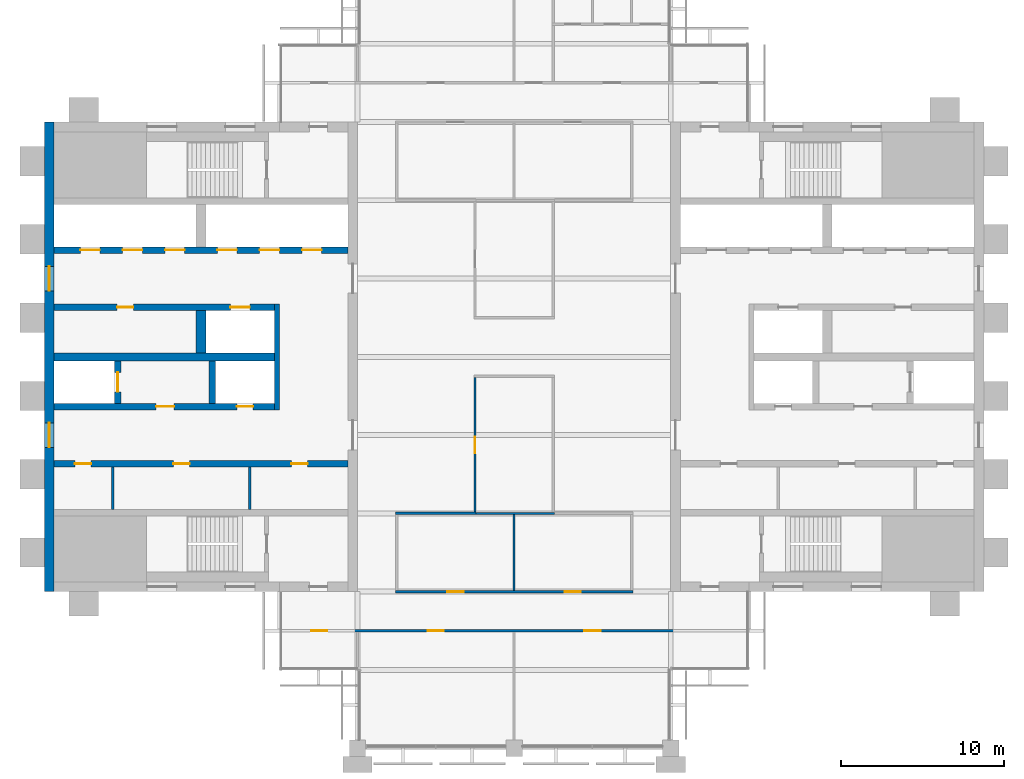
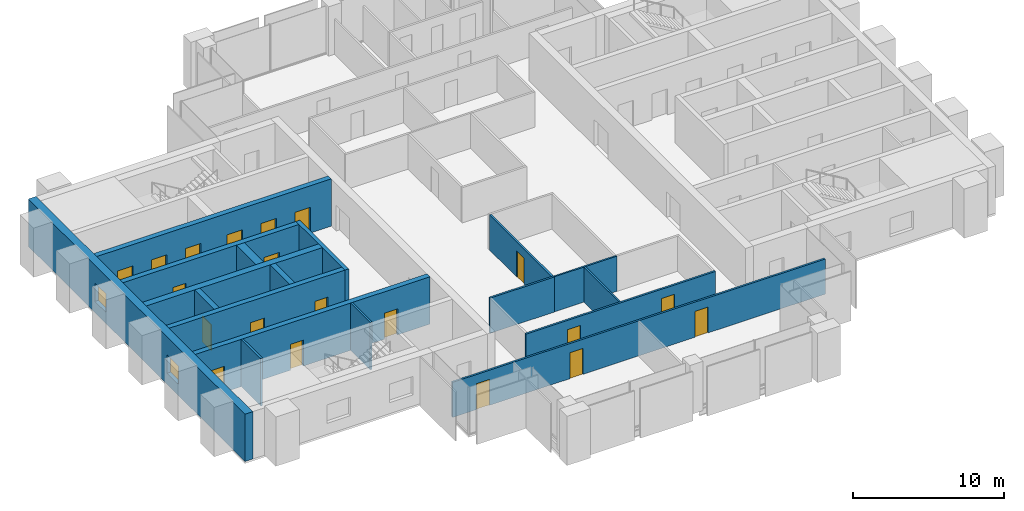
# One storey, part 8 of 12: 20 doors, 18 walls, 2 windows, 22 openings.
"""IFC4 building model written with IfcOpenShell, lengths in metres."""

from ifc_helpers import new_model, si_unit, direction, frame, frame_2d, origin, place, context, subcontext, project, spatial, rectangle, extrude, material, layer, layer_set, type_object, element, fill, save


model = new_model("IFC4")

# Units and contexts
model_context = context("Model", 3, precision=1e-05, world=origin(), true_north=direction((0.0, 1.0)))
body_context = subcontext(model_context, "Body", "Model", "MODEL_VIEW")
ifc_project = project(units=[si_unit("LENGTHUNIT", "METRE"), si_unit("AREAUNIT", "SQUARE_METRE"), si_unit("VOLUMEUNIT", "CUBIC_METRE"), si_unit("PLANEANGLEUNIT", "RADIAN"), si_unit("MASSUNIT", "GRAM", prefix="KILO")], contexts=[model_context])

# Site, building, storey
site_placement = place(None, origin())
site = spatial("IfcSite", under=ifc_project, at=site_placement, CompositionType="ELEMENT")
building_placement = place(site_placement, origin())
building = spatial("IfcBuilding", under=site, at=building_placement, Name="Baori Bourse Tower", CompositionType="ELEMENT")
storey_placement = place(building_placement, frame((0.0, 0.0, 298.300048828125)))
storey = spatial("IfcBuildingStorey", under=building, at=storey_placement, Name="L65", CompositionType="ELEMENT", Elevation=298.300048828125)

# Walls
ifc_material_1 = material(Name="Blockwork partition", Category="masonry")
ifc_layer_1 = layer(ifc_material_1, 0.14990234375)
ifc_layer_set_1 = layer_set([ifc_layer_1], Name="Core partition 150")
wall_type_1 = type_object("IfcWallType", Name="Core partition 150", PredefinedType="PARTITIONING", material=ifc_layer_set_1)
for number, where, z_axis, x_axis, name in (
    (1, (4.199951171875, 14.64990234375, 0.0), (0.0, 0.0, 1.0), (0.0, 1.0, 0.0), "Partition wall W09"),
    (2, (12.60009765625, 14.64990234375, 0.0), (0.0, 0.0, 1.0), (0.0, 1.0, 0.0), "Partition wall W10"),
):
    element("IfcWall", number, at=place(storey_placement, frame(where, z_axis=z_axis, x_axis=x_axis)), inside=storey, type_object=wall_type_1, Name=name, PredefinedType="PARTITIONING", context=body_context, shape_type="SweptSolid", body=[
        extrude(rectangle(XDim=2.60009765625, YDim=0.14990234375, at=frame_2d((1.300048828125, 0.0))), origin(), (0.0, 0.0, 1.0), 3.83984375),
    ])

# Wall, openings, windows
ifc_material_2 = material(Name="Concrete f'c 40 MPa", Category="concrete")
ifc_layer_2 = layer(ifc_material_2, 0.60009765625)
ifc_layer_set_2 = layer_set([ifc_layer_2], Name="Core wall 600 f'c 40")
wall_type_2 = type_object("IfcWallType", Name="Core wall 600 f'c 40", PredefinedType="SHEAR", material=ifc_layer_set_2)
wall_1_placement = place(storey_placement, frame((0.300048828125, 9.60009765625, 0.0), z_axis=(0.0, 0.0, 1.0), x_axis=(0.0, 1.0, 0.0)))
wall_1 = element("IfcWall", 3, at=wall_1_placement, inside=storey, type_object=wall_type_2, Name="Core wall W01", PredefinedType="SHEAR", context=body_context, shape_type="SweptSolid", body=[
    extrude(rectangle(XDim=28.7998046875, YDim=0.60009765625, at=frame_2d((14.39990234375, 0.0))), origin(), (0.0, 0.0, 1.0), 3.83984375),
])
opening_1_placement = place(wall_1_placement, frame((8.85009765625, 0.0, 0.89990234375)))
opening_1 = element("IfcOpeningElement", 4, at=opening_1_placement, cuts=wall_1, Name="Opening L65-KW101", PredefinedType="OPENING", context=body_context, shape_type="SweptSolid", body=[
    extrude(rectangle(XDim=1.5, YDim=1.5, at=frame_2d((0.75, 0.75))), frame((0.0, 0.31005859375, 0.0), z_axis=(0.0, -1.0, 0.0), x_axis=(1.0, 0.0, 0.0)), (0.0, 0.0, 1.0), 0.6201171875),
])
opening_2_placement = place(wall_1_placement, frame((18.449951171875, 0.0, 0.89990234375)))
opening_2 = element("IfcOpeningElement", 5, at=opening_2_placement, cuts=wall_1, Name="Opening L65-KW102", PredefinedType="OPENING", context=body_context, shape_type="SweptSolid", body=[
    extrude(rectangle(XDim=1.5, YDim=1.5, at=frame_2d((0.75, 0.75))), frame((0.0, 0.31005859375, 0.0), z_axis=(0.0, -1.0, 0.0), x_axis=(1.0, 0.0, 0.0)), (0.0, 0.0, 1.0), 0.6201171875),
])
ifc_material_3 = material(Name="Pale anodised aluminium", Category="aluminium")
window_type = type_object("IfcWindowType", Name="Lobby window 1500 x 1500", PartitioningType="SINGLE_PANEL", PredefinedType="WINDOW", material=ifc_material_3)
window_1_placement = place(opening_1_placement, origin())
window_1 = element("IfcWindow", 6, at=window_1_placement, inside=storey, type_object=window_type, Name="Outer wall window W L65 1", OverallHeight=1.5, OverallWidth=1.5, PartitioningType="SINGLE_PANEL", PredefinedType="WINDOW", context=body_context, shape_type="SweptSolid", body=[
    extrude(rectangle(XDim=1.5, YDim=1.5, at=frame_2d((0.75, 0.75))), frame((0.0, 0.030029296875, 0.0), z_axis=(0.0, -1.0, 0.0), x_axis=(1.0, 0.0, 0.0)), (0.0, 0.0, 1.0), 0.06005859375),
])
fill(opening_1, window_1)
window_2_placement = place(opening_2_placement, origin())
window_2 = element("IfcWindow", 7, at=window_2_placement, inside=storey, type_object=window_type, Name="Outer wall window W L65 2", OverallHeight=1.5, OverallWidth=1.5, PartitioningType="SINGLE_PANEL", PredefinedType="WINDOW", context=body_context, shape_type="SweptSolid", body=[
    extrude(rectangle(XDim=1.5, YDim=1.5, at=frame_2d((0.75, 0.75))), frame((0.0, 0.030029296875, 0.0), z_axis=(0.0, -1.0, 0.0), x_axis=(1.0, 0.0, 0.0)), (0.0, 0.0, 1.0), 0.06005859375),
])
fill(opening_2, window_2)

# Wall, openings, doors
ifc_material_4 = material(Name="Gypsum board partition")
ifc_layer_3 = layer(ifc_material_4, 0.14990234375)
ifc_layer_set_3 = layer_set([ifc_layer_3], Name="Corridor partition 150")
wall_type_3 = type_object("IfcWallType", Name="Corridor partition 150", PredefinedType="PARTITIONING", material=ifc_layer_set_3)
wall_2_placement = place(storey_placement, frame((14.5, 7.199951171875, 0.0), z_axis=(0.0, 0.0, 1.0), x_axis=(1.0, 0.0, 0.0)))
wall_2 = element("IfcWall", 8, at=wall_2_placement, inside=storey, type_object=wall_type_3, Name="Partition", PredefinedType="PARTITIONING", context=body_context, shape_type="SweptSolid", body=[
    extrude(rectangle(XDim=28.60009765625, YDim=0.14990234375, at=frame_2d((14.300048828125, 0.0))), origin(), (0.0, 0.0, 1.0), 2.849365234375),
])
opening_3_placement = place(wall_2_placement, frame((1.85009765625, 0.0, 0.0)))
opening_3 = element("IfcOpeningElement", 9, at=opening_3_placement, cuts=wall_2, Name="Opening L65-D01", PredefinedType="OPENING", context=body_context, shape_type="SweptSolid", body=[
    extrude(rectangle(XDim=1.0, YDim=2.10009765625, at=frame_2d((0.5, 1.050048828125))), frame((0.0, 0.0849609375, 0.0), z_axis=(0.0, -1.0, 0.0), x_axis=(1.0, 0.0, 0.0)), (0.0, 0.0, 1.0), 0.169921875),
])
opening_4_placement = place(wall_2_placement, frame((9.0, 0.0, 0.0)))
opening_4 = element("IfcOpeningElement", 10, at=opening_4_placement, cuts=wall_2, Name="Opening L65-D02", PredefinedType="OPENING", context=body_context, shape_type="SweptSolid", body=[
    extrude(rectangle(XDim=1.0, YDim=2.10009765625, at=frame_2d((0.5, 1.050048828125))), frame((0.0, 0.0849609375, 0.0), z_axis=(0.0, -1.0, 0.0), x_axis=(1.0, 0.0, 0.0)), (0.0, 0.0, 1.0), 0.169921875),
])
opening_5_placement = place(wall_2_placement, frame((18.60009765625, 0.0, 0.0)))
opening_5 = element("IfcOpeningElement", 11, at=opening_5_placement, cuts=wall_2, Name="Opening L65-D03", PredefinedType="OPENING", context=body_context, shape_type="SweptSolid", body=[
    extrude(rectangle(XDim=1.0, YDim=2.10009765625, at=frame_2d((0.5, 1.050048828125))), frame((0.0, 0.0849609375, 0.0), z_axis=(0.0, -1.0, 0.0), x_axis=(1.0, 0.0, 0.0)), (0.0, 0.0, 1.0), 0.169921875),
])
ifc_material_5 = material(Name="Timber door leaf", Category="wood")
door_type_1 = type_object("IfcDoorType", Name="Door 1000 x 2100", OperationType="SINGLE_SWING_LEFT", PredefinedType="DOOR", material=ifc_material_5)
door_1_placement = place(opening_3_placement, origin())
door_1 = element("IfcDoor", 12, at=door_1_placement, inside=storey, type_object=door_type_1, Name="Door", OperationType="SINGLE_SWING_LEFT", OverallHeight=2.10009765625, OverallWidth=1.0, PredefinedType="DOOR", context=body_context, shape_type="SweptSolid", body=[
    extrude(rectangle(XDim=1.0, YDim=2.10009765625, at=frame_2d((0.5, 1.050048828125))), frame((0.0, 0.02490234375, 0.0), z_axis=(0.0, -1.0, 0.0), x_axis=(1.0, 0.0, 0.0)), (0.0, 0.0, 1.0), 0.050048828125),
])
fill(opening_3, door_1)
door_2_placement = place(opening_4_placement, origin())
door_2 = element("IfcDoor", 13, at=door_2_placement, inside=storey, type_object=door_type_1, Name="Door", OperationType="SINGLE_SWING_LEFT", OverallHeight=2.10009765625, OverallWidth=1.0, PredefinedType="DOOR", context=body_context, shape_type="SweptSolid", body=[
    extrude(rectangle(XDim=1.0, YDim=2.10009765625, at=frame_2d((0.5, 1.050048828125))), frame((0.0, 0.02490234375, 0.0), z_axis=(0.0, -1.0, 0.0), x_axis=(1.0, 0.0, 0.0)), (0.0, 0.0, 1.0), 0.050048828125),
])
fill(opening_4, door_2)
door_3_placement = place(opening_5_placement, origin())
door_3 = element("IfcDoor", 14, at=door_3_placement, inside=storey, type_object=door_type_1, Name="Door", OperationType="SINGLE_SWING_RIGHT", OverallHeight=2.10009765625, OverallWidth=1.0, PredefinedType="DOOR", context=body_context, shape_type="SweptSolid", body=[
    extrude(rectangle(XDim=1.0, YDim=2.10009765625, at=frame_2d((0.5, 1.050048828125))), frame((0.0, 0.02490234375, 0.0), z_axis=(0.0, -1.0, 0.0), x_axis=(1.0, 0.0, 0.0)), (0.0, 0.0, 1.0), 0.050048828125),
])
fill(opening_5, door_3)

wall_3_placement = place(storey_placement, frame((21.52490234375, 9.60009765625, 0.0), z_axis=(0.0, 0.0, 1.0), x_axis=(1.0, 0.0, 0.0)))
wall_3 = element("IfcWall", 15, at=wall_3_placement, inside=storey, type_object=wall_type_3, Name="Partition", PredefinedType="PARTITIONING", context=body_context, shape_type="SweptSolid", body=[
    extrude(rectangle(XDim=14.550048828125, YDim=0.14990234375, at=frame_2d((7.27490234375, 0.0))), origin(), (0.0, 0.0, 1.0), 2.849365234375),
])
opening_6_placement = place(wall_3_placement, frame((3.175048828125, 0.0, 0.0)))
opening_6 = element("IfcOpeningElement", 16, at=opening_6_placement, cuts=wall_3, Name="Opening L65-D04", PredefinedType="OPENING", context=body_context, shape_type="SweptSolid", body=[
    extrude(rectangle(XDim=1.0, YDim=2.10009765625, at=frame_2d((0.5, 1.050048828125))), frame((0.0, 0.0849609375, 0.0), z_axis=(0.0, -1.0, 0.0), x_axis=(1.0, 0.0, 0.0)), (0.0, 0.0, 1.0), 0.169921875),
])
opening_7_placement = place(wall_3_placement, frame((10.375, 0.0, 0.0)))
opening_7 = element("IfcOpeningElement", 17, at=opening_7_placement, cuts=wall_3, Name="Opening L65-D05", PredefinedType="OPENING", context=body_context, shape_type="SweptSolid", body=[
    extrude(rectangle(XDim=1.0, YDim=2.10009765625, at=frame_2d((0.5, 1.050048828125))), frame((0.0, 0.0849609375, 0.0), z_axis=(0.0, -1.0, 0.0), x_axis=(1.0, 0.0, 0.0)), (0.0, 0.0, 1.0), 0.169921875),
])
door_4_placement = place(opening_6_placement, origin())
door_4 = element("IfcDoor", 18, at=door_4_placement, inside=storey, type_object=door_type_1, Name="Door", OperationType="SINGLE_SWING_RIGHT", OverallHeight=2.10009765625, OverallWidth=1.0, PredefinedType="DOOR", context=body_context, shape_type="SweptSolid", body=[
    extrude(rectangle(XDim=1.0, YDim=2.10009765625, at=frame_2d((0.5, 1.050048828125))), frame((0.0, 0.02490234375, 0.0), z_axis=(0.0, -1.0, 0.0), x_axis=(1.0, 0.0, 0.0)), (0.0, 0.0, 1.0), 0.050048828125),
])
fill(opening_6, door_4)
door_5_placement = place(opening_7_placement, origin())
door_5 = element("IfcDoor", 19, at=door_5_placement, inside=storey, type_object=door_type_1, Name="Door", OperationType="SINGLE_SWING_LEFT", OverallHeight=2.10009765625, OverallWidth=1.0, PredefinedType="DOOR", context=body_context, shape_type="SweptSolid", body=[
    extrude(rectangle(XDim=1.0, YDim=2.10009765625, at=frame_2d((0.5, 1.050048828125))), frame((0.0, 0.02490234375, 0.0), z_axis=(0.0, -1.0, 0.0), x_axis=(1.0, 0.0, 0.0)), (0.0, 0.0, 1.0), 0.050048828125),
])
fill(opening_7, door_5)

# Wall
wall_4_placement = place(storey_placement, frame((21.52490234375, 14.39990234375, 0.0), z_axis=(0.0, 0.0, 1.0), x_axis=(1.0, 0.0, 0.0)))
element("IfcWall", 20, at=wall_4_placement, inside=storey, type_object=wall_type_3, Name="Partition", PredefinedType="PARTITIONING", context=body_context, shape_type="SweptSolid", body=[
    extrude(rectangle(XDim=4.9501953125, YDim=0.14990234375, at=frame_2d((2.47509765625, 0.0))), origin(), (0.0, 0.0, 1.0), 2.849365234375),
])

# Wall, opening, door
wall_5_placement = place(storey_placement, frame((26.39990234375, 14.47509765625, 0.0), z_axis=(0.0, 0.0, 1.0), x_axis=(0.0, 1.0, 0.0)))
wall_5 = element("IfcWall", 21, at=wall_5_placement, inside=storey, type_object=wall_type_3, Name="Partition", PredefinedType="PARTITIONING", context=body_context, shape_type="SweptSolid", body=[
    extrude(rectangle(XDim=8.25, YDim=0.14990234375, at=frame_2d((4.125, 0.0))), origin(), (0.0, 0.0, 1.0), 2.849365234375),
])
opening_8_placement = place(wall_5_placement, frame((3.625, 0.0, 0.0)))
opening_8 = element("IfcOpeningElement", 22, at=opening_8_placement, cuts=wall_5, Name="Opening L65-D16", PredefinedType="OPENING", context=body_context, shape_type="SweptSolid", body=[
    extrude(rectangle(XDim=1.0, YDim=2.10009765625, at=frame_2d((0.5, 1.050048828125))), frame((0.0, 0.0849609375, 0.0), z_axis=(0.0, -1.0, 0.0), x_axis=(1.0, 0.0, 0.0)), (0.0, 0.0, 1.0), 0.169921875),
])
door_6_placement = place(opening_8_placement, origin())
door_6 = element("IfcDoor", 23, at=door_6_placement, inside=storey, type_object=door_type_1, Name="Door", OperationType="SINGLE_SWING_RIGHT", OverallHeight=2.10009765625, OverallWidth=1.0, PredefinedType="DOOR", context=body_context, shape_type="SweptSolid", body=[
    extrude(rectangle(XDim=1.0, YDim=2.10009765625, at=frame_2d((0.5, 1.050048828125))), frame((0.0, 0.02490234375, 0.0), z_axis=(0.0, -1.0, 0.0), x_axis=(1.0, 0.0, 0.0)), (0.0, 0.0, 1.0), 0.050048828125),
])
fill(opening_8, door_6)

# Walls
ifc_material_6 = material(Name="Gypsum board partition")
ifc_layer_4 = layer(ifc_material_6, 0.125)
ifc_layer_set_4 = layer_set([ifc_layer_4], Name="Partition 125")
wall_type_4 = type_object("IfcWallType", Name="Partition 125", PredefinedType="PARTITIONING", material=ifc_layer_set_4)
wall_6_placement = place(storey_placement, frame((26.47509765625, 14.39990234375, 0.0), z_axis=(0.0, 0.0, 1.0), x_axis=(1.0, 0.0, 0.0)))
element("IfcWall", 24, at=wall_6_placement, inside=storey, type_object=wall_type_4, Name="Partition", PredefinedType="PARTITIONING", context=body_context, shape_type="SweptSolid", body=[
    extrude(rectangle(XDim=4.7998046875, YDim=0.125, at=frame_2d((2.39990234375, 0.0))), origin(), (0.0, 0.0, 1.0), 2.849365234375),
])
wall_7_placement = place(storey_placement, frame((28.800048828125, 9.675048828125, 0.0), z_axis=(0.0, 0.0, 1.0), x_axis=(0.0, 1.0, 0.0)))
element("IfcWall", 25, at=wall_7_placement, inside=storey, type_object=wall_type_4, Name="Partition", PredefinedType="PARTITIONING", context=body_context, shape_type="SweptSolid", body=[
    extrude(rectangle(XDim=4.662353515625, YDim=0.125, at=frame_2d((2.3310546875, 0.0))), origin(), (0.0, 0.0, 1.0), 2.849365234375),
])
ifc_material_7 = material(Name="Concrete f'c 40 MPa", Category="concrete")
ifc_layer_5 = layer(ifc_material_7, 0.300048828125)
ifc_layer_set_5 = layer_set([ifc_layer_5], Name="Shaft wall 300 f'c 40")
wall_type_5 = type_object("IfcWallType", Name="Shaft wall 300 f'c 40", PredefinedType="SHEAR", material=ifc_layer_set_5)
wall_8_placement = place(storey_placement, frame((14.25, 20.75, 0.0), z_axis=(0.0, 0.0, 1.0), x_axis=(0.0, 1.0, 0.0)))
element("IfcWall", 26, at=wall_8_placement, inside=storey, type_object=wall_type_5, Name="Core wall W13", PredefinedType="SHEAR", context=body_context, shape_type="SweptSolid", body=[
    extrude(rectangle(XDim=6.5, YDim=0.300048828125, at=frame_2d((3.25, 0.0))), origin(), (0.0, 0.0, 1.0), 3.83984375),
])

# Wall, openings, doors
ifc_material_8 = material(Name="Concrete f'c 40 MPa", Category="concrete")
ifc_layer_6 = layer(ifc_material_8, 0.39990234375)
ifc_layer_set_6 = layer_set([ifc_layer_6], Name="Shaft wall 400 f'c 40")
wall_type_6 = type_object("IfcWallType", Name="Shaft wall 400 f'c 40", PredefinedType="SHEAR", material=ifc_layer_set_6)
wall_9_placement = place(storey_placement, frame((0.60009765625, 17.449951171875, 0.0), z_axis=(0.0, 0.0, 1.0), x_axis=(1.0, 0.0, 0.0)))
wall_9 = element("IfcWall", 27, at=wall_9_placement, inside=storey, type_object=wall_type_6, Name="Core wall W11", PredefinedType="SHEAR", context=body_context, shape_type="SweptSolid", body=[
    extrude(rectangle(XDim=18.0, YDim=0.39990234375, at=frame_2d((9.0, 0.0))), origin(), (0.0, 0.0, 1.0), 3.83984375),
])
opening_9_placement = place(wall_9_placement, frame((1.262451171875, 0.0, 0.0)))
opening_9 = element("IfcOpeningElement", 28, at=opening_9_placement, cuts=wall_9, Name="Opening L65-D109", PredefinedType="OPENING", context=body_context, shape_type="SweptSolid", body=[
    extrude(rectangle(XDim=1.0, YDim=2.10009765625, at=frame_2d((0.5, 1.050048828125))), frame((0.0, 0.2099609375, 0.0), z_axis=(0.0, -1.0, 0.0), x_axis=(1.0, 0.0, 0.0)), (0.0, 0.0, 1.0), 0.419921875),
])
opening_10_placement = place(wall_9_placement, frame((7.300048828125, 0.0, 0.0)))
opening_10 = element("IfcOpeningElement", 29, at=opening_10_placement, cuts=wall_9, Name="Opening L65-D110", PredefinedType="OPENING", context=body_context, shape_type="SweptSolid", body=[
    extrude(rectangle(XDim=1.0, YDim=2.10009765625, at=frame_2d((0.5, 1.050048828125))), frame((0.0, 0.2099609375, 0.0), z_axis=(0.0, -1.0, 0.0), x_axis=(1.0, 0.0, 0.0)), (0.0, 0.0, 1.0), 0.419921875),
])
opening_11_placement = place(wall_9_placement, frame((14.53759765625, 0.0, 0.0)))
opening_11 = element("IfcOpeningElement", 30, at=opening_11_placement, cuts=wall_9, Name="Opening L65-D111", PredefinedType="OPENING", context=body_context, shape_type="SweptSolid", body=[
    extrude(rectangle(XDim=1.0, YDim=2.10009765625, at=frame_2d((0.5, 1.050048828125))), frame((0.0, 0.2099609375, 0.0), z_axis=(0.0, -1.0, 0.0), x_axis=(1.0, 0.0, 0.0)), (0.0, 0.0, 1.0), 0.419921875),
])
ifc_material_9 = material(Name="Painted steel door", Category="steel")
door_type_2 = type_object("IfcDoorType", Name="Core door 1000", OperationType="SINGLE_SWING_LEFT", PredefinedType="DOOR", material=ifc_material_9)
door_7_placement = place(opening_9_placement, origin())
door_7 = element("IfcDoor", 31, at=door_7_placement, inside=storey, type_object=door_type_2, Name="Accessible Wc door W L65", OperationType="SINGLE_SWING_LEFT", OverallHeight=2.10009765625, OverallWidth=1.0, PredefinedType="DOOR", context=body_context, shape_type="SweptSolid", body=[
    extrude(rectangle(XDim=1.0, YDim=2.10009765625, at=frame_2d((0.5, 1.050048828125))), frame((0.0, 0.02490234375, 0.0), z_axis=(0.0, -1.0, 0.0), x_axis=(1.0, 0.0, 0.0)), (0.0, 0.0, 1.0), 0.050048828125),
])
fill(opening_9, door_7)
door_8_placement = place(opening_10_placement, origin())
door_8 = element("IfcDoor", 32, at=door_8_placement, inside=storey, type_object=door_type_2, Name="Men'S Wc door W L65", OperationType="SINGLE_SWING_LEFT", OverallHeight=2.10009765625, OverallWidth=1.0, PredefinedType="DOOR", context=body_context, shape_type="SweptSolid", body=[
    extrude(rectangle(XDim=1.0, YDim=2.10009765625, at=frame_2d((0.5, 1.050048828125))), frame((0.0, 0.02490234375, 0.0), z_axis=(0.0, -1.0, 0.0), x_axis=(1.0, 0.0, 0.0)), (0.0, 0.0, 1.0), 0.050048828125),
])
fill(opening_10, door_8)
door_9_placement = place(opening_11_placement, origin())
door_9 = element("IfcDoor", 33, at=door_9_placement, inside=storey, type_object=door_type_2, Name="Women'S Wc door W L65", OperationType="SINGLE_SWING_LEFT", OverallHeight=2.10009765625, OverallWidth=1.0, PredefinedType="DOOR", context=body_context, shape_type="SweptSolid", body=[
    extrude(rectangle(XDim=1.0, YDim=2.10009765625, at=frame_2d((0.5, 1.050048828125))), frame((0.0, 0.02490234375, 0.0), z_axis=(0.0, -1.0, 0.0), x_axis=(1.0, 0.0, 0.0)), (0.0, 0.0, 1.0), 0.050048828125),
])
fill(opening_11, door_9)

wall_10_placement = place(storey_placement, frame((0.60009765625, 20.949951171875, 0.0), z_axis=(0.0, 0.0, 1.0), x_axis=(1.0, 0.0, 0.0)))
wall_10 = element("IfcWall", 34, at=wall_10_placement, inside=storey, type_object=wall_type_6, Name="Core wall W12", PredefinedType="SHEAR", context=body_context, shape_type="SweptSolid", body=[
    extrude(rectangle(XDim=13.5, YDim=0.39990234375, at=frame_2d((6.75, 0.0))), origin(), (0.0, 0.0, 1.0), 3.83984375),
])
opening_12_placement = place(wall_10_placement, frame((6.25, 0.0, 0.0)))
opening_12 = element("IfcOpeningElement", 35, at=opening_12_placement, cuts=wall_10, Name="Opening L65-D105", PredefinedType="OPENING", context=body_context, shape_type="SweptSolid", body=[
    extrude(rectangle(XDim=1.10009765625, YDim=2.10009765625, at=frame_2d((0.550048828125, 1.050048828125))), frame((0.0, 0.2099609375, 0.0), z_axis=(0.0, -1.0, 0.0), x_axis=(1.0, 0.0, 0.0)), (0.0, 0.0, 1.0), 0.419921875),
])
opening_13_placement = place(wall_10_placement, frame((11.199951171875, 0.0, 0.0)))
opening_13 = element("IfcOpeningElement", 36, at=opening_13_placement, cuts=wall_10, Name="Opening L65-D106", PredefinedType="OPENING", context=body_context, shape_type="SweptSolid", body=[
    extrude(rectangle(XDim=1.0, YDim=2.10009765625, at=frame_2d((0.5, 1.050048828125))), frame((0.0, 0.2099609375, 0.0), z_axis=(0.0, -1.0, 0.0), x_axis=(1.0, 0.0, 0.0)), (0.0, 0.0, 1.0), 0.419921875),
])
ifc_material_10 = material(Name="Painted steel door", Category="steel")
door_type_3 = type_object("IfcDoorType", Name="Lobby door 1100", OperationType="SINGLE_SWING_LEFT", PredefinedType="DOOR", material=ifc_material_10)
door_10_placement = place(opening_12_placement, origin())
door_10 = element("IfcDoor", 37, at=door_10_placement, inside=storey, type_object=door_type_3, Name="Firefighting lobby door W L65", OperationType="SINGLE_SWING_LEFT", OverallHeight=2.10009765625, OverallWidth=1.10009765625, PredefinedType="DOOR", context=body_context, shape_type="SweptSolid", body=[
    extrude(rectangle(XDim=1.10009765625, YDim=2.10009765625, at=frame_2d((0.550048828125, 1.050048828125))), frame((0.0, 0.02490234375, 0.0), z_axis=(0.0, -1.0, 0.0), x_axis=(1.0, 0.0, 0.0)), (0.0, 0.0, 1.0), 0.050048828125),
])
fill(opening_12, door_10)
ifc_material_11 = material(Name="Painted steel door", Category="steel")
door_type_4 = type_object("IfcDoorType", Name="Shaft door 1000", OperationType="SINGLE_SWING_LEFT", PredefinedType="DOOR", material=ifc_material_11)
door_11_placement = place(opening_13_placement, origin())
door_11 = element("IfcDoor", 38, at=door_11_placement, inside=storey, type_object=door_type_4, Name="Riser room door W L65", OperationType="SINGLE_SWING_LEFT", OverallHeight=2.10009765625, OverallWidth=1.0, PredefinedType="DOOR", context=body_context, shape_type="SweptSolid", body=[
    extrude(rectangle(XDim=1.0, YDim=2.10009765625, at=frame_2d((0.5, 1.050048828125))), frame((0.0, 0.02490234375, 0.0), z_axis=(0.0, -1.0, 0.0), x_axis=(1.0, 0.0, 0.0)), (0.0, 0.0, 1.0), 0.050048828125),
])
fill(opening_13, door_11)

# Wall, opening, door
wall_11_placement = place(storey_placement, frame((4.5, 21.14990234375, 0.0), z_axis=(0.0, 0.0, 1.0), x_axis=(0.0, 1.0, 0.0)))
wall_11 = element("IfcWall", 39, at=wall_11_placement, inside=storey, type_object=wall_type_6, Name="Core wall W14", PredefinedType="SHEAR", context=body_context, shape_type="SweptSolid", body=[
    extrude(rectangle(XDim=2.60009765625, YDim=0.39990234375, at=frame_2d((1.300048828125, 0.0))), origin(), (0.0, 0.0, 1.0), 3.83984375),
])
opening_14_placement = place(wall_11_placement, frame((0.699951171875, 0.0, 0.0)))
opening_14 = element("IfcOpeningElement", 40, at=opening_14_placement, cuts=wall_11, Name="Opening L65-D120", PredefinedType="OPENING", context=body_context, shape_type="SweptSolid", body=[
    extrude(rectangle(XDim=1.199951171875, YDim=2.10009765625, at=frame_2d((0.60009765625, 1.050048828125))), frame((0.0, 0.2099609375, 0.0), z_axis=(0.0, -1.0, 0.0), x_axis=(1.0, 0.0, 0.0)), (0.0, 0.0, 1.0), 0.419921875),
])
ifc_material_12 = material(Name="Stainless steel door", Category="steel")
door_type_5 = type_object("IfcDoorType", Name="Lift landing door", OperationType="DOUBLE_DOOR_SLIDING", PredefinedType="DOOR", material=ifc_material_12)
door_12_placement = place(opening_14_placement, origin())
door_12 = element("IfcDoor", 41, at=door_12_placement, inside=storey, type_object=door_type_5, Name="Lift landing door FF1 W L65", OperationType="DOUBLE_DOOR_SLIDING", OverallHeight=2.10009765625, OverallWidth=1.199951171875, PredefinedType="DOOR", context=body_context, shape_type="SweptSolid", body=[
    extrude(rectangle(XDim=1.199951171875, YDim=2.10009765625, at=frame_2d((0.60009765625, 1.050048828125))), frame((0.0, 0.02490234375, 0.0), z_axis=(0.0, -1.0, 0.0), x_axis=(1.0, 0.0, 0.0)), (0.0, 0.0, 1.0), 0.050048828125),
])
fill(opening_14, door_12)

# Wall
wall_12_placement = place(storey_placement, frame((10.300048828125, 21.14990234375, 0.0), z_axis=(0.0, 0.0, 1.0), x_axis=(0.0, 1.0, 0.0)))
element("IfcWall", 42, at=wall_12_placement, inside=storey, type_object=wall_type_6, Name="Core wall W15", PredefinedType="SHEAR", context=body_context, shape_type="SweptSolid", body=[
    extrude(rectangle(XDim=2.60009765625, YDim=0.39990234375, at=frame_2d((1.300048828125, 0.0))), origin(), (0.0, 0.0, 1.0), 3.83984375),
])

# Wall, openings, doors
wall_13_placement = place(storey_placement, frame((0.60009765625, 27.050048828125, 0.0), z_axis=(0.0, 0.0, 1.0), x_axis=(1.0, 0.0, 0.0)))
wall_13 = element("IfcWall", 43, at=wall_13_placement, inside=storey, type_object=wall_type_6, Name="Core wall W18", PredefinedType="SHEAR", context=body_context, shape_type="SweptSolid", body=[
    extrude(rectangle(XDim=13.5, YDim=0.39990234375, at=frame_2d((6.75, 0.0))), origin(), (0.0, 0.0, 1.0), 3.83984375),
])
opening_15_placement = place(wall_13_placement, frame((3.85009765625, 0.0, 0.0)))
opening_15 = element("IfcOpeningElement", 44, at=opening_15_placement, cuts=wall_13, Name="Opening L65-D112", PredefinedType="OPENING", context=body_context, shape_type="SweptSolid", body=[
    extrude(rectangle(XDim=1.0, YDim=2.10009765625, at=frame_2d((0.5, 1.050048828125))), frame((0.0, 0.2099609375, 0.0), z_axis=(0.0, -1.0, 0.0), x_axis=(1.0, 0.0, 0.0)), (0.0, 0.0, 1.0), 0.419921875),
])
opening_16_placement = place(wall_13_placement, frame((10.800048828125, 0.0, 0.0)))
opening_16 = element("IfcOpeningElement", 45, at=opening_16_placement, cuts=wall_13, Name="Opening L65-D119", PredefinedType="OPENING", context=body_context, shape_type="SweptSolid", body=[
    extrude(rectangle(XDim=1.199951171875, YDim=2.10009765625, at=frame_2d((0.60009765625, 1.050048828125))), frame((0.0, 0.2099609375, 0.0), z_axis=(0.0, -1.0, 0.0), x_axis=(1.0, 0.0, 0.0)), (0.0, 0.0, 1.0), 0.419921875),
])
door_13_placement = place(opening_15_placement, origin())
door_13 = element("IfcDoor", 46, at=door_13_placement, inside=storey, type_object=door_type_2, Name="Copy Room door W L65", OperationType="SINGLE_SWING_LEFT", OverallHeight=2.10009765625, OverallWidth=1.0, PredefinedType="DOOR", context=body_context, shape_type="SweptSolid", body=[
    extrude(rectangle(XDim=1.0, YDim=2.10009765625, at=frame_2d((0.5, 1.050048828125))), frame((0.0, 0.02490234375, 0.0), z_axis=(0.0, -1.0, 0.0), x_axis=(1.0, 0.0, 0.0)), (0.0, 0.0, 1.0), 0.050048828125),
])
fill(opening_15, door_13)
door_14_placement = place(opening_16_placement, origin())
door_14 = element("IfcDoor", 47, at=door_14_placement, inside=storey, type_object=door_type_5, Name="Lift landing door SV1 W L65", OperationType="DOUBLE_DOOR_SLIDING", OverallHeight=2.10009765625, OverallWidth=1.199951171875, PredefinedType="DOOR", context=body_context, shape_type="SweptSolid", body=[
    extrude(rectangle(XDim=1.199951171875, YDim=2.10009765625, at=frame_2d((0.60009765625, 1.050048828125))), frame((0.0, 0.02490234375, 0.0), z_axis=(0.0, -1.0, 0.0), x_axis=(1.0, 0.0, 0.0)), (0.0, 0.0, 1.0), 0.050048828125),
])
fill(opening_16, door_14)

wall_14_placement = place(storey_placement, frame((0.60009765625, 30.550048828125, 0.0), z_axis=(0.0, 0.0, 1.0), x_axis=(1.0, 0.0, 0.0)))
wall_14 = element("IfcWall", 48, at=wall_14_placement, inside=storey, type_object=wall_type_6, Name="Core wall W19", PredefinedType="SHEAR", context=body_context, shape_type="SweptSolid", body=[
    extrude(rectangle(XDim=18.0, YDim=0.39990234375, at=frame_2d((9.0, 0.0))), origin(), (0.0, 0.0, 1.0), 3.83984375),
])
opening_17_placement = place(wall_14_placement, frame((1.60009765625, 0.0, 0.0)))
opening_17 = element("IfcOpeningElement", 49, at=opening_17_placement, cuts=wall_14, Name="Opening L65-D113", PredefinedType="OPENING", context=body_context, shape_type="SweptSolid", body=[
    extrude(rectangle(XDim=1.199951171875, YDim=2.10009765625, at=frame_2d((0.60009765625, 1.050048828125))), frame((0.0, 0.2099609375, 0.0), z_axis=(0.0, -1.0, 0.0), x_axis=(1.0, 0.0, 0.0)), (0.0, 0.0, 1.0), 0.419921875),
])
opening_18_placement = place(wall_14_placement, frame((4.199951171875, 0.0, 0.0)))
opening_18 = element("IfcOpeningElement", 50, at=opening_18_placement, cuts=wall_14, Name="Opening L65-D114", PredefinedType="OPENING", context=body_context, shape_type="SweptSolid", body=[
    extrude(rectangle(XDim=1.199951171875, YDim=2.10009765625, at=frame_2d((0.60009765625, 1.050048828125))), frame((0.0, 0.2099609375, 0.0), z_axis=(0.0, -1.0, 0.0), x_axis=(1.0, 0.0, 0.0)), (0.0, 0.0, 1.0), 0.419921875),
])
opening_19_placement = place(wall_14_placement, frame((6.800048828125, 0.0, 0.0)))
opening_19 = element("IfcOpeningElement", 51, at=opening_19_placement, cuts=wall_14, Name="Opening L65-D115", PredefinedType="OPENING", context=body_context, shape_type="SweptSolid", body=[
    extrude(rectangle(XDim=1.199951171875, YDim=2.10009765625, at=frame_2d((0.60009765625, 1.050048828125))), frame((0.0, 0.2099609375, 0.0), z_axis=(0.0, -1.0, 0.0), x_axis=(1.0, 0.0, 0.0)), (0.0, 0.0, 1.0), 0.419921875),
])
opening_20_placement = place(wall_14_placement, frame((10.0, 0.0, 0.0)))
opening_20 = element("IfcOpeningElement", 52, at=opening_20_placement, cuts=wall_14, Name="Opening L65-D116", PredefinedType="OPENING", context=body_context, shape_type="SweptSolid", body=[
    extrude(rectangle(XDim=1.199951171875, YDim=2.10009765625, at=frame_2d((0.60009765625, 1.050048828125))), frame((0.0, 0.2099609375, 0.0), z_axis=(0.0, -1.0, 0.0), x_axis=(1.0, 0.0, 0.0)), (0.0, 0.0, 1.0), 0.419921875),
])
opening_21_placement = place(wall_14_placement, frame((12.60009765625, 0.0, 0.0)))
opening_21 = element("IfcOpeningElement", 53, at=opening_21_placement, cuts=wall_14, Name="Opening L65-D117", PredefinedType="OPENING", context=body_context, shape_type="SweptSolid", body=[
    extrude(rectangle(XDim=1.199951171875, YDim=2.10009765625, at=frame_2d((0.60009765625, 1.050048828125))), frame((0.0, 0.2099609375, 0.0), z_axis=(0.0, -1.0, 0.0), x_axis=(1.0, 0.0, 0.0)), (0.0, 0.0, 1.0), 0.419921875),
])
opening_22_placement = place(wall_14_placement, frame((15.199951171875, 0.0, 0.0)))
opening_22 = element("IfcOpeningElement", 54, at=opening_22_placement, cuts=wall_14, Name="Opening L65-D118", PredefinedType="OPENING", context=body_context, shape_type="SweptSolid", body=[
    extrude(rectangle(XDim=1.199951171875, YDim=2.10009765625, at=frame_2d((0.60009765625, 1.050048828125))), frame((0.0, 0.2099609375, 0.0), z_axis=(0.0, -1.0, 0.0), x_axis=(1.0, 0.0, 0.0)), (0.0, 0.0, 1.0), 0.419921875),
])
door_15_placement = place(opening_17_placement, origin())
door_15 = element("IfcDoor", 55, at=door_15_placement, inside=storey, type_object=door_type_5, Name="Lift landing door HR1 W L65", OperationType="DOUBLE_DOOR_SLIDING", OverallHeight=2.10009765625, OverallWidth=1.199951171875, PredefinedType="DOOR", context=body_context, shape_type="SweptSolid", body=[
    extrude(rectangle(XDim=1.199951171875, YDim=2.10009765625, at=frame_2d((0.60009765625, 1.050048828125))), frame((0.0, 0.02490234375, 0.0), z_axis=(0.0, -1.0, 0.0), x_axis=(1.0, 0.0, 0.0)), (0.0, 0.0, 1.0), 0.050048828125),
])
fill(opening_17, door_15)
door_16_placement = place(opening_18_placement, origin())
door_16 = element("IfcDoor", 56, at=door_16_placement, inside=storey, type_object=door_type_5, Name="Lift landing door HR2 W L65", OperationType="DOUBLE_DOOR_SLIDING", OverallHeight=2.10009765625, OverallWidth=1.199951171875, PredefinedType="DOOR", context=body_context, shape_type="SweptSolid", body=[
    extrude(rectangle(XDim=1.199951171875, YDim=2.10009765625, at=frame_2d((0.60009765625, 1.050048828125))), frame((0.0, 0.02490234375, 0.0), z_axis=(0.0, -1.0, 0.0), x_axis=(1.0, 0.0, 0.0)), (0.0, 0.0, 1.0), 0.050048828125),
])
fill(opening_18, door_16)
door_17_placement = place(opening_19_placement, origin())
door_17 = element("IfcDoor", 57, at=door_17_placement, inside=storey, type_object=door_type_5, Name="Lift landing door HR3 W L65", OperationType="DOUBLE_DOOR_SLIDING", OverallHeight=2.10009765625, OverallWidth=1.199951171875, PredefinedType="DOOR", context=body_context, shape_type="SweptSolid", body=[
    extrude(rectangle(XDim=1.199951171875, YDim=2.10009765625, at=frame_2d((0.60009765625, 1.050048828125))), frame((0.0, 0.02490234375, 0.0), z_axis=(0.0, -1.0, 0.0), x_axis=(1.0, 0.0, 0.0)), (0.0, 0.0, 1.0), 0.050048828125),
])
fill(opening_19, door_17)
door_18_placement = place(opening_20_placement, origin())
door_18 = element("IfcDoor", 58, at=door_18_placement, inside=storey, type_object=door_type_5, Name="Lift landing door HR4 W L65", OperationType="DOUBLE_DOOR_SLIDING", OverallHeight=2.10009765625, OverallWidth=1.199951171875, PredefinedType="DOOR", context=body_context, shape_type="SweptSolid", body=[
    extrude(rectangle(XDim=1.199951171875, YDim=2.10009765625, at=frame_2d((0.60009765625, 1.050048828125))), frame((0.0, 0.02490234375, 0.0), z_axis=(0.0, -1.0, 0.0), x_axis=(1.0, 0.0, 0.0)), (0.0, 0.0, 1.0), 0.050048828125),
])
fill(opening_20, door_18)
door_19_placement = place(opening_21_placement, origin())
door_19 = element("IfcDoor", 59, at=door_19_placement, inside=storey, type_object=door_type_5, Name="Lift landing door HR5 W L65", OperationType="DOUBLE_DOOR_SLIDING", OverallHeight=2.10009765625, OverallWidth=1.199951171875, PredefinedType="DOOR", context=body_context, shape_type="SweptSolid", body=[
    extrude(rectangle(XDim=1.199951171875, YDim=2.10009765625, at=frame_2d((0.60009765625, 1.050048828125))), frame((0.0, 0.02490234375, 0.0), z_axis=(0.0, -1.0, 0.0), x_axis=(1.0, 0.0, 0.0)), (0.0, 0.0, 1.0), 0.050048828125),
])
fill(opening_21, door_19)
door_20_placement = place(opening_22_placement, origin())
door_20 = element("IfcDoor", 60, at=door_20_placement, inside=storey, type_object=door_type_5, Name="Lift landing door HR6 W L65", OperationType="DOUBLE_DOOR_SLIDING", OverallHeight=2.10009765625, OverallWidth=1.199951171875, PredefinedType="DOOR", context=body_context, shape_type="SweptSolid", body=[
    extrude(rectangle(XDim=1.199951171875, YDim=2.10009765625, at=frame_2d((0.60009765625, 1.050048828125))), frame((0.0, 0.02490234375, 0.0), z_axis=(0.0, -1.0, 0.0), x_axis=(1.0, 0.0, 0.0)), (0.0, 0.0, 1.0), 0.050048828125),
])
fill(opening_22, door_20)

# Walls
ifc_material_13 = material(Name="Concrete f'c 40 MPa", Category="concrete")
ifc_layer_7 = layer(ifc_material_13, 0.5)
ifc_layer_set_7 = layer_set([ifc_layer_7], Name="Shaft wall 500 f'c 40")
wall_type_7 = type_object("IfcWallType", Name="Shaft wall 500 f'c 40", PredefinedType="SHEAR", material=ifc_layer_set_7)
wall_15_placement = place(storey_placement, frame((0.60009765625, 24.0, 0.0), z_axis=(0.0, 0.0, 1.0), x_axis=(1.0, 0.0, 0.0)))
element("IfcWall", 61, at=wall_15_placement, inside=storey, type_object=wall_type_7, Name="Core wall W16", PredefinedType="SHEAR", context=body_context, shape_type="SweptSolid", body=[
    extrude(rectangle(XDim=13.5, YDim=0.5, at=frame_2d((6.75, 0.0))), origin(), (0.0, 0.0, 1.0), 3.83984375),
])
ifc_material_14 = material(Name="Concrete f'c 40 MPa", Category="concrete")
ifc_layer_8 = layer(ifc_material_14, 0.60009765625)
ifc_layer_set_8 = layer_set([ifc_layer_8], Name="Shaft wall 600 f'c 40")
wall_type_8 = type_object("IfcWallType", Name="Shaft wall 600 f'c 40", PredefinedType="SHEAR", material=ifc_layer_set_8)
wall_16_placement = place(storey_placement, frame((9.60009765625, 24.25, 0.0), z_axis=(0.0, 0.0, 1.0), x_axis=(0.0, 1.0, 0.0)))
element("IfcWall", 62, at=wall_16_placement, inside=storey, type_object=wall_type_8, Name="Core wall W17", PredefinedType="SHEAR", context=body_context, shape_type="SweptSolid", body=[
    extrude(rectangle(XDim=2.60009765625, YDim=0.60009765625, at=frame_2d((1.300048828125, 0.0))), origin(), (0.0, 0.0, 1.0), 3.83984375),
])

save(model, "model.ifc")
